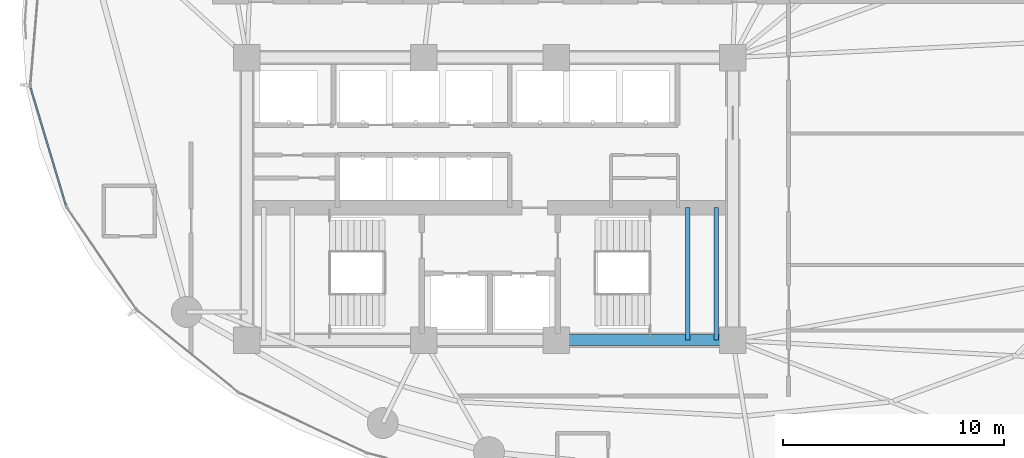
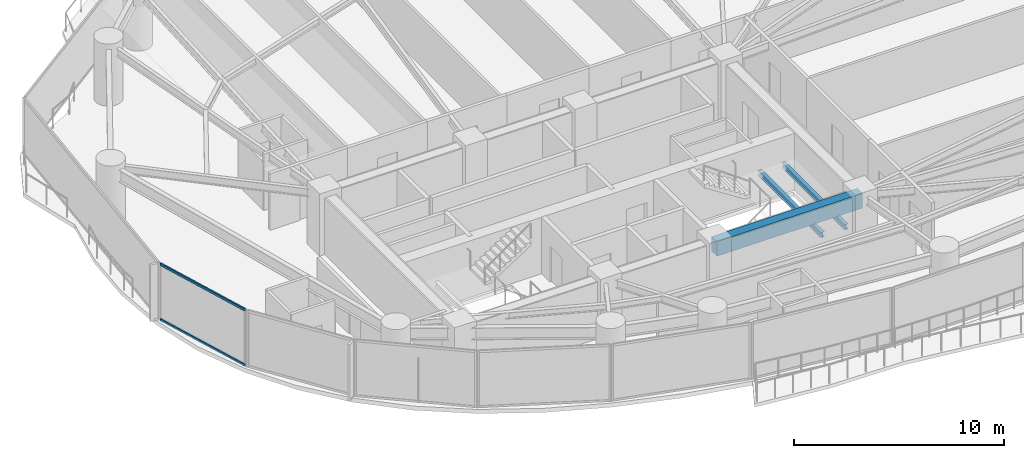
# One storey, part 7 of 30: 3 beams, 2 members, 1 element without a shape of its own.
"""IFC4 building model written with IfcOpenShell, lengths in metres."""

from ifc_helpers import new_model, si_unit, direction, frame, origin, origin_2d, place, context, subcontext, project, spatial, rectangle, hollow_rectangle, i_section, extrude, material, layer, layer_set, material_profile, profile_set, type_object, element, aggregate, save


model = new_model("IFC4")

# Units and contexts
model_context = context("Model", 3, precision=1e-05, world=origin(), true_north=direction((0.0, 1.0)))
body_context = subcontext(model_context, "Body", "Model", "MODEL_VIEW")
ifc_project = project(units=[si_unit("LENGTHUNIT", "METRE"), si_unit("AREAUNIT", "SQUARE_METRE"), si_unit("VOLUMEUNIT", "CUBIC_METRE"), si_unit("PLANEANGLEUNIT", "RADIAN"), si_unit("MASSUNIT", "GRAM", prefix="KILO")], contexts=[model_context])

# Site, building, storey
site_placement = place(None, origin())
site = spatial("IfcSite", under=ifc_project, at=site_placement, CompositionType="ELEMENT")
building_placement = place(site_placement, origin())
building = spatial("IfcBuilding", under=site, at=building_placement, Name="Kazevale Care Tower and Concert Hall", CompositionType="ELEMENT")
storey_placement = place(building_placement, frame((0.0, 0.0, 88.800048828125)))
storey = spatial("IfcBuildingStorey", under=building, at=storey_placement, Name="L23", CompositionType="ELEMENT", Elevation=88.800048828125)

# Curtain wall, members
ifc_material_1 = material(Name="Aluminium 6063-T6 and Low-E Glass", Category="aluminium")
ifc_layer = layer(ifc_material_1, 0.179931640625)
ifc_layer_set = layer_set([ifc_layer], Name="Aluminium 6063-T6 and Low-E Glass")
curtain_wall_type = type_object("IfcCurtainWallType", Name="Waist & Upper Residential Curtain Wall CW-4", PredefinedType="NOTDEFINED", material=ifc_layer_set)
curtain_wall_placement = place(storey_placement, origin())
curtain_wall = element("IfcCurtainWall", 1, at=curtain_wall_placement, inside=storey, type_object=curtain_wall_type, Name="cw:L23:f12", PredefinedType="NOTDEFINED")
ifc_material_2 = material(Name="Aluminium 6063-T6", Category="aluminium")
ifc_material_profile_1 = material_profile(ifc_material_2, hollow_rectangle(XDim=0.080078125, YDim=0.139892578125, WallThickness=0.00390625, at=origin_2d()), Name="ALU80x140x4")
ifc_profile_set_1 = profile_set([ifc_material_profile_1], Name="Aluminium 6063-T6")
member_type = type_object("IfcMemberType", Name="CW-4 Transom ALU80x140x4", PredefinedType="USERDEFINED", material=ifc_profile_set_1)
member_1_placement = place(storey_placement, frame((13.802978515625, 29.715576171875, 0.0400390625), z_axis=(-0.287906465712, 0.957658533613, 0.0), x_axis=(-0.957658533613, -0.287906465712, 0.0)))
member_1 = element("IfcMember", 2, at=member_1_placement, type_object=member_type, Name="CW-4 transom 1.1", ObjectType="TRANSOM", PredefinedType="USERDEFINED", context=body_context, shape_type="SweptSolid", body=[
    extrude(hollow_rectangle(XDim=0.080078125, YDim=0.139892578125, WallThickness=0.00390625, at=origin_2d()), origin(), (0.0, 0.0, 1.0), 5.533203125),
])
member_2_placement = place(storey_placement, frame((13.802978515625, 29.715576171875, 3.239990234375), z_axis=(-0.287906465712, 0.957658533613, 0.0), x_axis=(-0.957658533613, -0.287906465712, 0.0)))
member_2 = element("IfcMember", 3, at=member_2_placement, type_object=member_type, Name="CW-4 transom 1.2", ObjectType="TRANSOM", PredefinedType="USERDEFINED", context=body_context, shape_type="SweptSolid", body=[
    extrude(hollow_rectangle(XDim=0.080078125, YDim=0.139892578125, WallThickness=0.00390625, at=origin_2d()), origin(), (0.0, 0.0, 1.0), 5.533203125),
])
aggregate(curtain_wall, [member_1, member_2])

# Beams
ifc_material_3 = material(Name="Concrete C60", Category="concrete")
ifc_material_profile_2 = material_profile(ifc_material_3, rectangle(XDim=0.5, YDim=0.85009765625, at=origin_2d()), Name="RC-B500x850")
ifc_profile_set_2 = profile_set([ifc_material_profile_2], Name="Concrete C60")
beam_type_1 = type_object("IfcBeamType", Name="Core Coupling Beam RC500x850", PredefinedType="LINTEL", material=ifc_profile_set_2)
beam_placement = place(storey_placement, frame((36.0, 23.60009765625, 2.85498046875), z_axis=(1.0, 0.0, 0.0), x_axis=(0.0, 1.0, 0.0)))
element("IfcBeam", 4, at=beam_placement, inside=storey, type_object=beam_type_1, Name="beam:L23:coretie:3", PredefinedType="LINTEL", context=body_context, shape_type="SweptSolid", body=[
    extrude(rectangle(XDim=0.5, YDim=0.85009765625, at=origin_2d()), origin(), (0.0, 0.0, 1.0), 8.0),
])
ifc_material_4 = material(Name="Steel ASTM A572 Gr 50", Category="steel")
ifc_material_profile_3 = material_profile(ifc_material_4, i_section(OverallWidth=0.202880859375, OverallDepth=0.302978515625, WebThickness=0.007568359375, FlangeThickness=0.01318359375, at=origin_2d()), Name="W310x60")
ifc_profile_set_3 = profile_set([ifc_material_profile_3], Name="Steel ASTM A572 Gr 50")
beam_type_2 = type_object("IfcBeamType", Name="Stair & Balcony Trimmer W310x60", PredefinedType="BEAM", material=ifc_profile_set_3)
for number, where, z_axis, x_axis, name in (
    (5, (41.949951171875, 23.60009765625, 1.448486328125), (0.0, 1.0, 0.0), (-1.0, 0.0, 0.0), "beam:L23:sttrim:ST2"),
    (6, (43.25, 23.60009765625, 1.448486328125), (0.0, 1.0, 0.0), (-1.0, 0.0, 0.0), "beam:L23:sttrim:ST2b"),
):
    element("IfcBeam", number, at=place(storey_placement, frame(where, z_axis=z_axis, x_axis=x_axis)), inside=storey, type_object=beam_type_2, Name=name, PredefinedType="BEAM", context=body_context, shape_type="SweptSolid", body=[
        extrude(i_section(OverallWidth=0.202880859375, OverallDepth=0.302978515625, WebThickness=0.007568359375, FlangeThickness=0.01318359375, at=origin_2d()), origin(), (0.0, 0.0, 1.0), 6.0),
    ])

save(model, "model.ifc")
